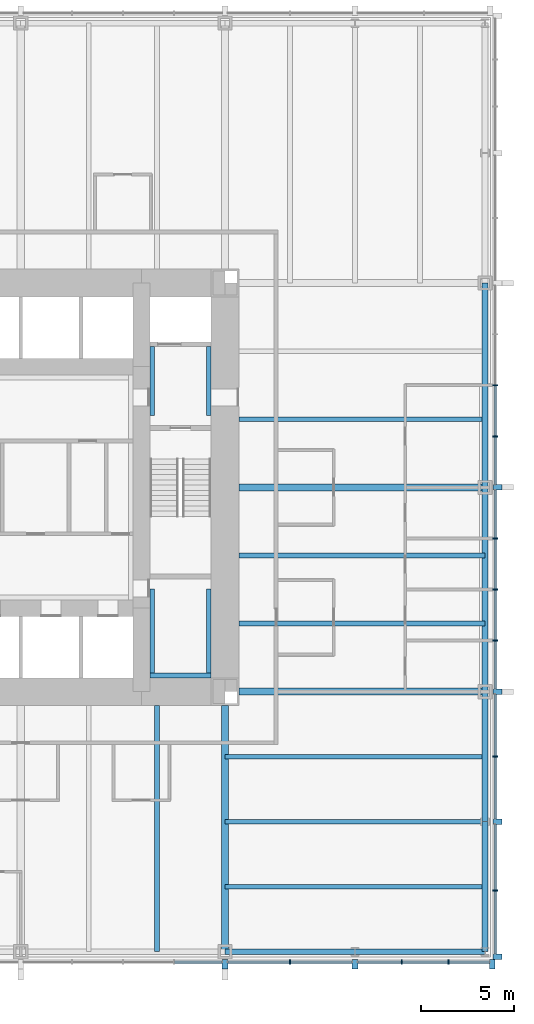
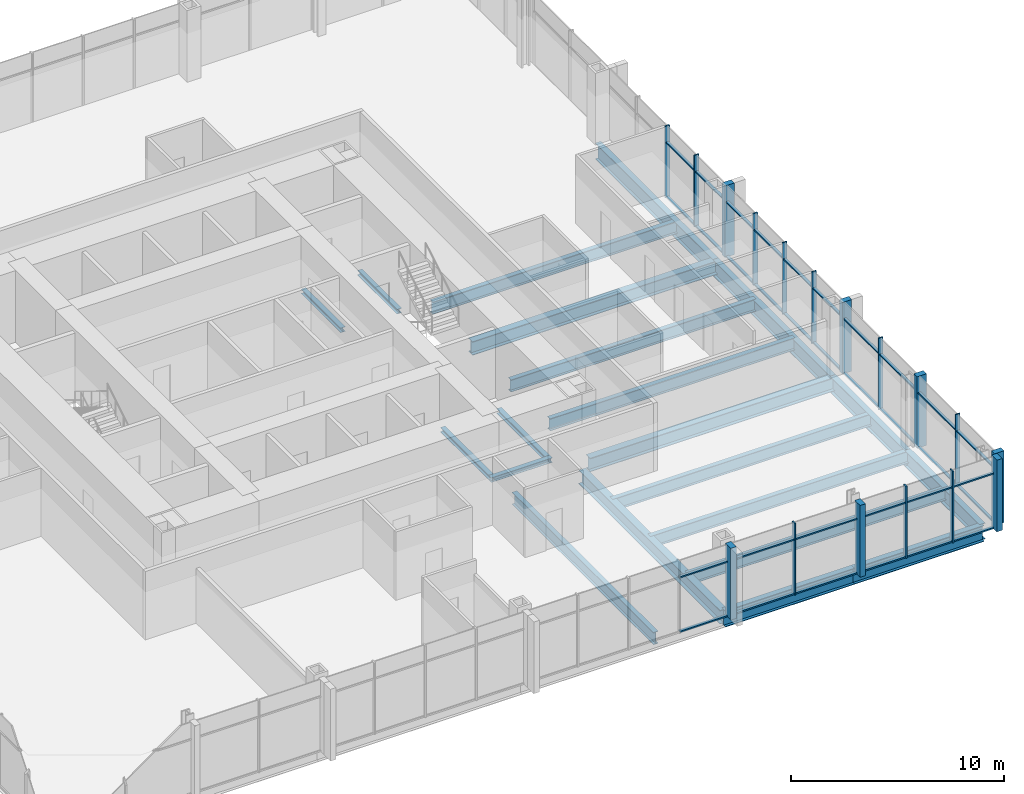
# One storey, part 4 of 12: 49 members, 21 beams, 2 elements without a shape of their own.
"""IFC4 building model written with IfcOpenShell, lengths in metres."""

from ifc_helpers import new_model, si_unit, direction, frame, origin, origin_2d, place, context, subcontext, project, spatial, rectangle, i_section, extrude, material, material_profile, profile_set, type_object, element, aggregate, save


model = new_model("IFC4")

# Units and contexts
model_context = context("Model", 3, precision=1e-05, world=origin(), true_north=direction((0.0, 1.0)))
body_context = subcontext(model_context, "Body", "Model", "MODEL_VIEW")
ifc_project = project(units=[si_unit("LENGTHUNIT", "METRE"), si_unit("AREAUNIT", "SQUARE_METRE"), si_unit("VOLUMEUNIT", "CUBIC_METRE"), si_unit("PLANEANGLEUNIT", "RADIAN"), si_unit("MASSUNIT", "GRAM", prefix="KILO")], contexts=[model_context])

# Site, building, storey
site_placement = place(None, origin())
site = spatial("IfcSite", under=ifc_project, at=site_placement, CompositionType="ELEMENT")
building_placement = place(site_placement, origin())
building = spatial("IfcBuilding", under=site, at=building_placement, Name="Trevanion Tower", CompositionType="ELEMENT")
storey_placement = place(building_placement, frame((0.0, 0.0, 40.60009765625)))
storey = spatial("IfcBuildingStorey", under=building, at=storey_placement, Name="L09", CompositionType="ELEMENT", Elevation=40.60009765625)

# Beams
ifc_material_1 = material(Name="Steel ASTM A992 Grade 50", Category="steel")
ifc_material_profile_1 = material_profile(ifc_material_1, i_section(OverallWidth=0.25390625, OverallDepth=0.700927734375, WebThickness=0.015380859375, FlangeThickness=0.02783203125, at=origin_2d()), Name="W27X129")
ifc_profile_set_1 = profile_set([ifc_material_profile_1], Name="Steel ASTM A992 Grade 50")
beam_type_1 = type_object("IfcBeamType", Name="B3 W27X129", PredefinedType="BEAM", material=ifc_profile_set_1)
for number, where, z_axis, x_axis, name in (
    (1, (11.75, -7.333251953125, -0.54052734375), (1.0, 0.0, 0.0), (0.0, 1.0, 0.0), "B3 L09"),
    (2, (11.75, -3.666748046875, -0.54052734375), (1.0, 0.0, 0.0), (0.0, 1.0, 0.0), "B3 L09"),
    (3, (11.75, 3.666748046875, -0.54052734375), (1.0, 0.0, 0.0), (0.0, 1.0, 0.0), "B3 L09"),
    (4, (7.333251953125, -11.75, -0.54052734375), (0.0, -1.0, 0.0), (1.0, 0.0, 0.0), "B3 L09"),
):
    element("IfcBeam", number, at=place(storey_placement, frame(where, z_axis=z_axis, x_axis=x_axis)), inside=storey, type_object=beam_type_1, Name=name, PredefinedType="BEAM", context=body_context, shape_type="SweptSolid", body=[
        extrude(i_section(OverallWidth=0.25390625, OverallDepth=0.700927734375, WebThickness=0.015380859375, FlangeThickness=0.02783203125, at=origin_2d()), origin(), (0.0, 0.0, 1.0), 13.25),
    ])
ifc_material_2 = material(Name="Steel ASTM A992 Grade 50", Category="steel")
ifc_material_profile_2 = material_profile(ifc_material_2, i_section(OverallWidth=0.256591796875, OverallDepth=0.693359375, WebThickness=0.014404296875, FlangeThickness=0.023681640625, at=origin_2d()), Name="W27X114")
ifc_profile_set_2 = profile_set([ifc_material_profile_2], Name="Steel ASTM A992 Grade 50")
beam_type_2 = type_object("IfcBeamType", Name="B4 W27X114", PredefinedType="BEAM", material=ifc_profile_set_2)
for number, where, z_axis, x_axis, name in (
    (5, (11.0, -14.5, -0.536865234375), (1.0, 0.0, 0.0), (0.0, 1.0, 0.0), "B4 L09"),
    (6, (11.0, -18.0, -0.536865234375), (1.0, 0.0, 0.0), (0.0, 1.0, 0.0), "B4 L09"),
    (7, (11.0, -21.5, -0.536865234375), (1.0, 0.0, 0.0), (0.0, 1.0, 0.0), "B4 L09"),
):
    element("IfcBeam", number, at=place(storey_placement, frame(where, z_axis=z_axis, x_axis=x_axis)), inside=storey, type_object=beam_type_2, Name=name, PredefinedType="BEAM", context=body_context, shape_type="SweptSolid", body=[
        extrude(i_section(OverallWidth=0.256591796875, OverallDepth=0.693359375, WebThickness=0.014404296875, FlangeThickness=0.023681640625, at=origin_2d()), origin(), (0.0, 0.0, 1.0), 14.0),
    ])

# Curtain wall, members
ifc_material_3 = material(Name="Aluminium and glass", Category="aluminium")
curtain_wall_type = type_object("IfcCurtainWallType", Name="CW1 curtain wall", PredefinedType="USERDEFINED", material=ifc_material_3)
curtain_wall_1_placement = place(storey_placement, origin())
curtain_wall_1 = element("IfcCurtainWall", 8, at=curtain_wall_1_placement, inside=storey, type_object=curtain_wall_type, Name="CW1 L09 0", ObjectType="UNITISED CURTAIN WALL", PredefinedType="USERDEFINED")
ifc_material_4 = material(Name="Aluminium extrusion, anodised bronze", Category="aluminium")
ifc_material_profile_3 = material_profile(ifc_material_4, rectangle(XDim=0.074951171875, YDim=0.25, at=origin_2d()), Name="CW1 mullion")
ifc_profile_set_3 = profile_set([ifc_material_profile_3], Name="Aluminium extrusion, anodised bronze")
member_type_1 = type_object("IfcMemberType", Name="CW1 mullion", PredefinedType="MULLION", material=ifc_profile_set_3)
member_1_placement = place(storey_placement, frame((25.550048828125, -21.7099609375, -0.190185546875), z_axis=(0.0, 0.0, 1.0), x_axis=(0.0, 1.0, 0.0)))
member_1 = element("IfcMember", 9, at=member_1_placement, type_object=member_type_1, Name="CW1 mullion 2", PredefinedType="MULLION", context=body_context, shape_type="SweptSolid", body=[
    extrude(rectangle(XDim=0.074951171875, YDim=0.25, at=origin_2d()), origin(), (0.0, 0.0, 1.0), 4.10009765625),
])
member_2_placement = place(storey_placement, frame((25.550048828125, -14.5, -0.190185546875), z_axis=(0.0, 0.0, 1.0), x_axis=(0.0, 1.0, 0.0)))
member_2 = element("IfcMember", 10, at=member_2_placement, type_object=member_type_1, Name="CW1 mullion 4", PredefinedType="MULLION", context=body_context, shape_type="SweptSolid", body=[
    extrude(rectangle(XDim=0.074951171875, YDim=0.25, at=origin_2d()), origin(), (0.0, 0.0, 1.0), 4.10009765625),
])
member_3_placement = place(storey_placement, frame((25.550048828125, -8.25, -0.190185546875), z_axis=(0.0, 0.0, 1.0), x_axis=(0.0, 1.0, 0.0)))
member_3 = element("IfcMember", 11, at=member_3_placement, type_object=member_type_1, Name="CW1 mullion 6", PredefinedType="MULLION", context=body_context, shape_type="SweptSolid", body=[
    extrude(rectangle(XDim=0.074951171875, YDim=0.25, at=origin_2d()), origin(), (0.0, 0.0, 1.0), 4.10009765625),
])
member_4_placement = place(storey_placement, frame((25.550048828125, -5.5, -0.190185546875), z_axis=(0.0, 0.0, 1.0), x_axis=(0.0, 1.0, 0.0)))
member_4 = element("IfcMember", 12, at=member_4_placement, type_object=member_type_1, Name="CW1 mullion 7", PredefinedType="MULLION", context=body_context, shape_type="SweptSolid", body=[
    extrude(rectangle(XDim=0.074951171875, YDim=0.25, at=origin_2d()), origin(), (0.0, 0.0, 1.0), 4.10009765625),
])
member_5_placement = place(storey_placement, frame((25.550048828125, -2.75, -0.190185546875), z_axis=(0.0, 0.0, 1.0), x_axis=(0.0, 1.0, 0.0)))
member_5 = element("IfcMember", 13, at=member_5_placement, type_object=member_type_1, Name="CW1 mullion 8", PredefinedType="MULLION", context=body_context, shape_type="SweptSolid", body=[
    extrude(rectangle(XDim=0.074951171875, YDim=0.25, at=origin_2d()), origin(), (0.0, 0.0, 1.0), 4.10009765625),
])
member_6_placement = place(storey_placement, frame((25.550048828125, 2.75, -0.190185546875), z_axis=(0.0, 0.0, 1.0), x_axis=(0.0, 1.0, 0.0)))
member_6 = element("IfcMember", 14, at=member_6_placement, type_object=member_type_1, Name="CW1 mullion 10", PredefinedType="MULLION", context=body_context, shape_type="SweptSolid", body=[
    extrude(rectangle(XDim=0.074951171875, YDim=0.25, at=origin_2d()), origin(), (0.0, 0.0, 1.0), 4.10009765625),
])
member_7_placement = place(storey_placement, frame((25.550048828125, 5.5, -0.190185546875), z_axis=(0.0, 0.0, 1.0), x_axis=(0.0, 1.0, 0.0)))
member_7 = element("IfcMember", 15, at=member_7_placement, type_object=member_type_1, Name="CW1 mullion 11", PredefinedType="MULLION", context=body_context, shape_type="SweptSolid", body=[
    extrude(rectangle(XDim=0.074951171875, YDim=0.25, at=origin_2d()), origin(), (0.0, 0.0, 1.0), 4.10009765625),
])

curtain_wall_2_placement = place(storey_placement, origin())
curtain_wall_2 = element("IfcCurtainWall", 16, at=curtain_wall_2_placement, inside=storey, type_object=curtain_wall_type, Name="CW1 L09 3", ObjectType="UNITISED CURTAIN WALL", PredefinedType="USERDEFINED")
member_8_placement = place(storey_placement, frame((14.5, -25.550048828125, -0.190185546875), z_axis=(0.0, 0.0, 1.0), x_axis=(1.0, 0.0, 0.0)))
member_8 = element("IfcMember", 17, at=member_8_placement, type_object=member_type_1, Name="CW1 mullion 14", PredefinedType="MULLION", context=body_context, shape_type="SweptSolid", body=[
    extrude(rectangle(XDim=0.074951171875, YDim=0.25, at=origin_2d()), origin(), (0.0, 0.0, 1.0), 4.10009765625),
])
member_9_placement = place(storey_placement, frame((20.5166015625, -25.550048828125, -0.190185546875), z_axis=(0.0, 0.0, 1.0), x_axis=(1.0, 0.0, 0.0)))
member_9 = element("IfcMember", 18, at=member_9_placement, type_object=member_type_1, Name="CW1 mullion 16", PredefinedType="MULLION", context=body_context, shape_type="SweptSolid", body=[
    extrude(rectangle(XDim=0.074951171875, YDim=0.25, at=origin_2d()), origin(), (0.0, 0.0, 1.0), 4.10009765625),
])
member_10_placement = place(storey_placement, frame((23.033203125, -25.550048828125, -0.190185546875), z_axis=(0.0, 0.0, 1.0), x_axis=(1.0, 0.0, 0.0)))
member_10 = element("IfcMember", 19, at=member_10_placement, type_object=member_type_1, Name="CW1 mullion 17", PredefinedType="MULLION", context=body_context, shape_type="SweptSolid", body=[
    extrude(rectangle(XDim=0.074951171875, YDim=0.25, at=origin_2d()), origin(), (0.0, 0.0, 1.0), 4.10009765625),
])

# Member
ifc_material_5 = material(Name="Aluminium extrusion, anodised bronze", Category="aluminium")
ifc_material_profile_4 = material_profile(ifc_material_5, rectangle(XDim=0.300048828125, YDim=0.5, at=origin_2d()), Name="CW1 pier mullion")
ifc_profile_set_4 = profile_set([ifc_material_profile_4], Name="Aluminium extrusion, anodised bronze")
member_type_2 = type_object("IfcMemberType", Name="CW1 pier mullion", PredefinedType="MULLION", material=ifc_profile_set_4)
member_11_placement = place(storey_placement, frame((25.675048828125, -25.27001953125, -0.190185546875), z_axis=(0.0, 0.0, 1.0), x_axis=(0.0, 1.0, 0.0)))
member_11 = element("IfcMember", 20, at=member_11_placement, type_object=member_type_2, Name="CW1 pier mullion 1", PredefinedType="MULLION", context=body_context, shape_type="SweptSolid", body=[
    extrude(rectangle(XDim=0.300048828125, YDim=0.5, at=origin_2d()), origin(), (0.0, 0.0, 1.0), 4.10009765625),
])

member_12_placement = place(storey_placement, frame((25.675048828125, -18.0, -0.190185546875), z_axis=(0.0, 0.0, 1.0), x_axis=(0.0, 1.0, 0.0)))
member_12 = element("IfcMember", 21, at=member_12_placement, type_object=member_type_2, Name="CW1 pier mullion 3", PredefinedType="MULLION", context=body_context, shape_type="SweptSolid", body=[
    extrude(rectangle(XDim=0.300048828125, YDim=0.5, at=origin_2d()), origin(), (0.0, 0.0, 1.0), 4.10009765625),
])

member_13_placement = place(storey_placement, frame((25.675048828125, -11.0, -0.190185546875), z_axis=(0.0, 0.0, 1.0), x_axis=(0.0, 1.0, 0.0)))
member_13 = element("IfcMember", 22, at=member_13_placement, type_object=member_type_2, Name="CW1 pier mullion 5", PredefinedType="MULLION", context=body_context, shape_type="SweptSolid", body=[
    extrude(rectangle(XDim=0.300048828125, YDim=0.5, at=origin_2d()), origin(), (0.0, 0.0, 1.0), 4.10009765625),
])

member_14_placement = place(storey_placement, frame((25.675048828125, 0.0, -0.190185546875), z_axis=(0.0, 0.0, 1.0), x_axis=(0.0, 1.0, 0.0)))
member_14 = element("IfcMember", 23, at=member_14_placement, type_object=member_type_2, Name="CW1 pier mullion 9", PredefinedType="MULLION", context=body_context, shape_type="SweptSolid", body=[
    extrude(rectangle(XDim=0.300048828125, YDim=0.5, at=origin_2d()), origin(), (0.0, 0.0, 1.0), 4.10009765625),
])

member_15_placement = place(storey_placement, frame((11.0, -25.675048828125, -0.190185546875), z_axis=(0.0, 0.0, 1.0), x_axis=(1.0, 0.0, 0.0)))
member_15 = element("IfcMember", 24, at=member_15_placement, type_object=member_type_2, Name="CW1 pier mullion 13", PredefinedType="MULLION", context=body_context, shape_type="SweptSolid", body=[
    extrude(rectangle(XDim=0.300048828125, YDim=0.5, at=origin_2d()), origin(), (0.0, 0.0, 1.0), 4.10009765625),
])

member_16_placement = place(storey_placement, frame((18.0, -25.675048828125, -0.190185546875), z_axis=(0.0, 0.0, 1.0), x_axis=(1.0, 0.0, 0.0)))
member_16 = element("IfcMember", 25, at=member_16_placement, type_object=member_type_2, Name="CW1 pier mullion 15", PredefinedType="MULLION", context=body_context, shape_type="SweptSolid", body=[
    extrude(rectangle(XDim=0.300048828125, YDim=0.5, at=origin_2d()), origin(), (0.0, 0.0, 1.0), 4.10009765625),
])

member_17_placement = place(storey_placement, frame((25.39990234375, -25.675048828125, -0.190185546875), z_axis=(0.0, 0.0, 1.0), x_axis=(1.0, 0.0, 0.0)))
member_17 = element("IfcMember", 26, at=member_17_placement, type_object=member_type_2, Name="CW1 pier mullion 18", PredefinedType="MULLION", context=body_context, shape_type="SweptSolid", body=[
    extrude(rectangle(XDim=0.300048828125, YDim=0.5, at=origin_2d()), origin(), (0.0, 0.0, 1.0), 4.10009765625),
])

ifc_material_6 = material(Name="Aluminium extrusion, anodised bronze", Category="aluminium")
ifc_material_profile_5 = material_profile(ifc_material_6, rectangle(XDim=0.14990234375, YDim=0.074951171875, at=origin_2d()), Name="CW1 transom")
ifc_profile_set_5 = profile_set([ifc_material_profile_5], Name="Aluminium extrusion, anodised bronze")
member_type_3 = type_object("IfcMemberType", Name="CW1 transom", PredefinedType="USERDEFINED", material=ifc_profile_set_5)
member_18_placement = place(storey_placement, frame((25.550048828125, -25.1201171875, -0.152587890625), z_axis=(0.0, 1.0, 0.0), x_axis=(-1.0, 0.0, 0.0)))
member_18 = element("IfcMember", 27, at=member_18_placement, type_object=member_type_3, Name="CW1 transom 1.1", ObjectType="TRANSOM", PredefinedType="USERDEFINED", context=body_context, shape_type="SweptSolid", body=[
    extrude(rectangle(XDim=0.14990234375, YDim=0.074951171875, at=origin_2d()), origin(), (0.0, 0.0, 1.0), 3.37255859375),
])

member_19_placement = place(storey_placement, frame((25.550048828125, -25.1201171875, 2.9599609375), z_axis=(0.0, 1.0, 0.0), x_axis=(-1.0, 0.0, 0.0)))
member_19 = element("IfcMember", 28, at=member_19_placement, type_object=member_type_3, Name="CW1 transom 1.2", ObjectType="TRANSOM", PredefinedType="USERDEFINED", context=body_context, shape_type="SweptSolid", body=[
    extrude(rectangle(XDim=0.14990234375, YDim=0.074951171875, at=origin_2d()), origin(), (0.0, 0.0, 1.0), 3.37255859375),
])

member_20_placement = place(storey_placement, frame((25.550048828125, -21.672607421875, -0.152587890625), z_axis=(0.0, 1.0, 0.0), x_axis=(-1.0, 0.0, 0.0)))
member_20 = element("IfcMember", 29, at=member_20_placement, type_object=member_type_3, Name="CW1 transom 2.1", ObjectType="TRANSOM", PredefinedType="USERDEFINED", context=body_context, shape_type="SweptSolid", body=[
    extrude(rectangle(XDim=0.14990234375, YDim=0.074951171875, at=origin_2d()), origin(), (0.0, 0.0, 1.0), 3.522705078125),
])

member_21_placement = place(storey_placement, frame((25.550048828125, -21.672607421875, 2.9599609375), z_axis=(0.0, 1.0, 0.0), x_axis=(-1.0, 0.0, 0.0)))
member_21 = element("IfcMember", 30, at=member_21_placement, type_object=member_type_3, Name="CW1 transom 2.2", ObjectType="TRANSOM", PredefinedType="USERDEFINED", context=body_context, shape_type="SweptSolid", body=[
    extrude(rectangle(XDim=0.14990234375, YDim=0.074951171875, at=origin_2d()), origin(), (0.0, 0.0, 1.0), 3.522705078125),
])

member_22_placement = place(storey_placement, frame((25.550048828125, -17.85009765625, -0.152587890625), z_axis=(0.0, 1.0, 0.0), x_axis=(-1.0, 0.0, 0.0)))
member_22 = element("IfcMember", 31, at=member_22_placement, type_object=member_type_3, Name="CW1 transom 3.1", ObjectType="TRANSOM", PredefinedType="USERDEFINED", context=body_context, shape_type="SweptSolid", body=[
    extrude(rectangle(XDim=0.14990234375, YDim=0.074951171875, at=origin_2d()), origin(), (0.0, 0.0, 1.0), 3.3125),
])

member_23_placement = place(storey_placement, frame((25.550048828125, -17.85009765625, 2.9599609375), z_axis=(0.0, 1.0, 0.0), x_axis=(-1.0, 0.0, 0.0)))
member_23 = element("IfcMember", 32, at=member_23_placement, type_object=member_type_3, Name="CW1 transom 3.2", ObjectType="TRANSOM", PredefinedType="USERDEFINED", context=body_context, shape_type="SweptSolid", body=[
    extrude(rectangle(XDim=0.14990234375, YDim=0.074951171875, at=origin_2d()), origin(), (0.0, 0.0, 1.0), 3.3125),
])

member_24_placement = place(storey_placement, frame((25.550048828125, -14.46240234375, -0.152587890625), z_axis=(0.0, 1.0, 0.0), x_axis=(-1.0, 0.0, 0.0)))
member_24 = element("IfcMember", 33, at=member_24_placement, type_object=member_type_3, Name="CW1 transom 4.1", ObjectType="TRANSOM", PredefinedType="USERDEFINED", context=body_context, shape_type="SweptSolid", body=[
    extrude(rectangle(XDim=0.14990234375, YDim=0.074951171875, at=origin_2d()), origin(), (0.0, 0.0, 1.0), 3.3125),
])

member_25_placement = place(storey_placement, frame((25.550048828125, -14.46240234375, 2.9599609375), z_axis=(0.0, 1.0, 0.0), x_axis=(-1.0, 0.0, 0.0)))
member_25 = element("IfcMember", 34, at=member_25_placement, type_object=member_type_3, Name="CW1 transom 4.2", ObjectType="TRANSOM", PredefinedType="USERDEFINED", context=body_context, shape_type="SweptSolid", body=[
    extrude(rectangle(XDim=0.14990234375, YDim=0.074951171875, at=origin_2d()), origin(), (0.0, 0.0, 1.0), 3.3125),
])

member_26_placement = place(storey_placement, frame((25.550048828125, -10.85009765625, -0.152587890625), z_axis=(0.0, 1.0, 0.0), x_axis=(-1.0, 0.0, 0.0)))
member_26 = element("IfcMember", 35, at=member_26_placement, type_object=member_type_3, Name="CW1 transom 5.1", ObjectType="TRANSOM", PredefinedType="USERDEFINED", context=body_context, shape_type="SweptSolid", body=[
    extrude(rectangle(XDim=0.14990234375, YDim=0.074951171875, at=origin_2d()), origin(), (0.0, 0.0, 1.0), 2.5625),
])

member_27_placement = place(storey_placement, frame((25.550048828125, -10.85009765625, 2.9599609375), z_axis=(0.0, 1.0, 0.0), x_axis=(-1.0, 0.0, 0.0)))
member_27 = element("IfcMember", 36, at=member_27_placement, type_object=member_type_3, Name="CW1 transom 5.2", ObjectType="TRANSOM", PredefinedType="USERDEFINED", context=body_context, shape_type="SweptSolid", body=[
    extrude(rectangle(XDim=0.14990234375, YDim=0.074951171875, at=origin_2d()), origin(), (0.0, 0.0, 1.0), 2.5625),
])

member_28_placement = place(storey_placement, frame((25.550048828125, -8.21240234375, -0.152587890625), z_axis=(0.0, 1.0, 0.0), x_axis=(-1.0, 0.0, 0.0)))
member_28 = element("IfcMember", 37, at=member_28_placement, type_object=member_type_3, Name="CW1 transom 6.1", ObjectType="TRANSOM", PredefinedType="USERDEFINED", context=body_context, shape_type="SweptSolid", body=[
    extrude(rectangle(XDim=0.14990234375, YDim=0.074951171875, at=origin_2d()), origin(), (0.0, 0.0, 1.0), 2.6748046875),
])

member_29_placement = place(storey_placement, frame((25.550048828125, -8.21240234375, 2.9599609375), z_axis=(0.0, 1.0, 0.0), x_axis=(-1.0, 0.0, 0.0)))
member_29 = element("IfcMember", 38, at=member_29_placement, type_object=member_type_3, Name="CW1 transom 6.2", ObjectType="TRANSOM", PredefinedType="USERDEFINED", context=body_context, shape_type="SweptSolid", body=[
    extrude(rectangle(XDim=0.14990234375, YDim=0.074951171875, at=origin_2d()), origin(), (0.0, 0.0, 1.0), 2.6748046875),
])

member_30_placement = place(storey_placement, frame((25.550048828125, -5.46240234375, -0.152587890625), z_axis=(0.0, 1.0, 0.0), x_axis=(-1.0, 0.0, 0.0)))
member_30 = element("IfcMember", 39, at=member_30_placement, type_object=member_type_3, Name="CW1 transom 7.1", ObjectType="TRANSOM", PredefinedType="USERDEFINED", context=body_context, shape_type="SweptSolid", body=[
    extrude(rectangle(XDim=0.14990234375, YDim=0.074951171875, at=origin_2d()), origin(), (0.0, 0.0, 1.0), 2.6748046875),
])

member_31_placement = place(storey_placement, frame((25.550048828125, -5.46240234375, 2.9599609375), z_axis=(0.0, 1.0, 0.0), x_axis=(-1.0, 0.0, 0.0)))
member_31 = element("IfcMember", 40, at=member_31_placement, type_object=member_type_3, Name="CW1 transom 7.2", ObjectType="TRANSOM", PredefinedType="USERDEFINED", context=body_context, shape_type="SweptSolid", body=[
    extrude(rectangle(XDim=0.14990234375, YDim=0.074951171875, at=origin_2d()), origin(), (0.0, 0.0, 1.0), 2.6748046875),
])

member_32_placement = place(storey_placement, frame((25.550048828125, -2.71240234375, -0.152587890625), z_axis=(0.0, 1.0, 0.0), x_axis=(-1.0, 0.0, 0.0)))
member_32 = element("IfcMember", 41, at=member_32_placement, type_object=member_type_3, Name="CW1 transom 8.1", ObjectType="TRANSOM", PredefinedType="USERDEFINED", context=body_context, shape_type="SweptSolid", body=[
    extrude(rectangle(XDim=0.14990234375, YDim=0.074951171875, at=origin_2d()), origin(), (0.0, 0.0, 1.0), 2.5625),
])

member_33_placement = place(storey_placement, frame((25.550048828125, -2.71240234375, 2.9599609375), z_axis=(0.0, 1.0, 0.0), x_axis=(-1.0, 0.0, 0.0)))
member_33 = element("IfcMember", 42, at=member_33_placement, type_object=member_type_3, Name="CW1 transom 8.2", ObjectType="TRANSOM", PredefinedType="USERDEFINED", context=body_context, shape_type="SweptSolid", body=[
    extrude(rectangle(XDim=0.14990234375, YDim=0.074951171875, at=origin_2d()), origin(), (0.0, 0.0, 1.0), 2.5625),
])

member_34_placement = place(storey_placement, frame((25.550048828125, 0.14990234375, -0.152587890625), z_axis=(0.0, 1.0, 0.0), x_axis=(-1.0, 0.0, 0.0)))
member_34 = element("IfcMember", 43, at=member_34_placement, type_object=member_type_3, Name="CW1 transom 9.1", ObjectType="TRANSOM", PredefinedType="USERDEFINED", context=body_context, shape_type="SweptSolid", body=[
    extrude(rectangle(XDim=0.14990234375, YDim=0.074951171875, at=origin_2d()), origin(), (0.0, 0.0, 1.0), 2.5625),
])

member_35_placement = place(storey_placement, frame((25.550048828125, 0.14990234375, 2.9599609375), z_axis=(0.0, 1.0, 0.0), x_axis=(-1.0, 0.0, 0.0)))
member_35 = element("IfcMember", 44, at=member_35_placement, type_object=member_type_3, Name="CW1 transom 9.2", ObjectType="TRANSOM", PredefinedType="USERDEFINED", context=body_context, shape_type="SweptSolid", body=[
    extrude(rectangle(XDim=0.14990234375, YDim=0.074951171875, at=origin_2d()), origin(), (0.0, 0.0, 1.0), 2.5625),
])

member_36_placement = place(storey_placement, frame((25.550048828125, 2.78759765625, -0.152587890625), z_axis=(0.0, 1.0, 0.0), x_axis=(-1.0, 0.0, 0.0)))
member_36 = element("IfcMember", 45, at=member_36_placement, type_object=member_type_3, Name="CW1 transom 10.1", ObjectType="TRANSOM", PredefinedType="USERDEFINED", context=body_context, shape_type="SweptSolid", body=[
    extrude(rectangle(XDim=0.14990234375, YDim=0.074951171875, at=origin_2d()), origin(), (0.0, 0.0, 1.0), 2.6748046875),
])

member_37_placement = place(storey_placement, frame((25.550048828125, 2.78759765625, 2.9599609375), z_axis=(0.0, 1.0, 0.0), x_axis=(-1.0, 0.0, 0.0)))
member_37 = element("IfcMember", 46, at=member_37_placement, type_object=member_type_3, Name="CW1 transom 10.2", ObjectType="TRANSOM", PredefinedType="USERDEFINED", context=body_context, shape_type="SweptSolid", body=[
    extrude(rectangle(XDim=0.14990234375, YDim=0.074951171875, at=origin_2d()), origin(), (0.0, 0.0, 1.0), 2.6748046875),
])

aggregate(curtain_wall_1, [member_11, member_1, member_12, member_2, member_13, member_3, member_4, member_5, member_14, member_6, member_7, member_18, member_19, member_20, member_21, member_22, member_23, member_24, member_25, member_26, member_27, member_28, member_29, member_30, member_31, member_32, member_33, member_34, member_35, member_36, member_37])

member_38_placement = place(storey_placement, frame((8.28759765625, -25.550048828125, -0.152587890625), z_axis=(1.0, 0.0, 0.0), x_axis=(0.0, 1.0, 0.0)))
member_38 = element("IfcMember", 47, at=member_38_placement, type_object=member_type_3, Name="CW1 transom 12.1", ObjectType="TRANSOM", PredefinedType="USERDEFINED", context=body_context, shape_type="SweptSolid", body=[
    extrude(rectangle(XDim=0.14990234375, YDim=0.074951171875, at=origin_2d()), origin(), (0.0, 0.0, 1.0), 2.5625),
])

member_39_placement = place(storey_placement, frame((8.28759765625, -25.550048828125, 2.9599609375), z_axis=(1.0, 0.0, 0.0), x_axis=(0.0, 1.0, 0.0)))
member_39 = element("IfcMember", 48, at=member_39_placement, type_object=member_type_3, Name="CW1 transom 12.2", ObjectType="TRANSOM", PredefinedType="USERDEFINED", context=body_context, shape_type="SweptSolid", body=[
    extrude(rectangle(XDim=0.14990234375, YDim=0.074951171875, at=origin_2d()), origin(), (0.0, 0.0, 1.0), 2.5625),
])

member_40_placement = place(storey_placement, frame((11.14990234375, -25.550048828125, -0.152587890625), z_axis=(1.0, 0.0, 0.0), x_axis=(0.0, 1.0, 0.0)))
member_40 = element("IfcMember", 49, at=member_40_placement, type_object=member_type_3, Name="CW1 transom 13.1", ObjectType="TRANSOM", PredefinedType="USERDEFINED", context=body_context, shape_type="SweptSolid", body=[
    extrude(rectangle(XDim=0.14990234375, YDim=0.074951171875, at=origin_2d()), origin(), (0.0, 0.0, 1.0), 3.3125),
])

member_41_placement = place(storey_placement, frame((11.14990234375, -25.550048828125, 2.9599609375), z_axis=(1.0, 0.0, 0.0), x_axis=(0.0, 1.0, 0.0)))
member_41 = element("IfcMember", 50, at=member_41_placement, type_object=member_type_3, Name="CW1 transom 13.2", ObjectType="TRANSOM", PredefinedType="USERDEFINED", context=body_context, shape_type="SweptSolid", body=[
    extrude(rectangle(XDim=0.14990234375, YDim=0.074951171875, at=origin_2d()), origin(), (0.0, 0.0, 1.0), 3.3125),
])

member_42_placement = place(storey_placement, frame((14.53759765625, -25.550048828125, -0.152587890625), z_axis=(1.0, 0.0, 0.0), x_axis=(0.0, 1.0, 0.0)))
member_42 = element("IfcMember", 51, at=member_42_placement, type_object=member_type_3, Name="CW1 transom 14.1", ObjectType="TRANSOM", PredefinedType="USERDEFINED", context=body_context, shape_type="SweptSolid", body=[
    extrude(rectangle(XDim=0.14990234375, YDim=0.074951171875, at=origin_2d()), origin(), (0.0, 0.0, 1.0), 3.3125),
])

member_43_placement = place(storey_placement, frame((14.53759765625, -25.550048828125, 2.9599609375), z_axis=(1.0, 0.0, 0.0), x_axis=(0.0, 1.0, 0.0)))
member_43 = element("IfcMember", 52, at=member_43_placement, type_object=member_type_3, Name="CW1 transom 14.2", ObjectType="TRANSOM", PredefinedType="USERDEFINED", context=body_context, shape_type="SweptSolid", body=[
    extrude(rectangle(XDim=0.14990234375, YDim=0.074951171875, at=origin_2d()), origin(), (0.0, 0.0, 1.0), 3.3125),
])

member_44_placement = place(storey_placement, frame((18.14990234375, -25.550048828125, -0.152587890625), z_axis=(1.0, 0.0, 0.0), x_axis=(0.0, 1.0, 0.0)))
member_44 = element("IfcMember", 53, at=member_44_placement, type_object=member_type_3, Name="CW1 transom 15.1", ObjectType="TRANSOM", PredefinedType="USERDEFINED", context=body_context, shape_type="SweptSolid", body=[
    extrude(rectangle(XDim=0.14990234375, YDim=0.074951171875, at=origin_2d()), origin(), (0.0, 0.0, 1.0), 2.329345703125),
])

member_45_placement = place(storey_placement, frame((18.14990234375, -25.550048828125, 2.9599609375), z_axis=(1.0, 0.0, 0.0), x_axis=(0.0, 1.0, 0.0)))
member_45 = element("IfcMember", 54, at=member_45_placement, type_object=member_type_3, Name="CW1 transom 15.2", ObjectType="TRANSOM", PredefinedType="USERDEFINED", context=body_context, shape_type="SweptSolid", body=[
    extrude(rectangle(XDim=0.14990234375, YDim=0.074951171875, at=origin_2d()), origin(), (0.0, 0.0, 1.0), 2.329345703125),
])

member_46_placement = place(storey_placement, frame((20.55419921875, -25.550048828125, -0.152587890625), z_axis=(1.0, 0.0, 0.0), x_axis=(0.0, 1.0, 0.0)))
member_46 = element("IfcMember", 55, at=member_46_placement, type_object=member_type_3, Name="CW1 transom 16.1", ObjectType="TRANSOM", PredefinedType="USERDEFINED", context=body_context, shape_type="SweptSolid", body=[
    extrude(rectangle(XDim=0.14990234375, YDim=0.074951171875, at=origin_2d()), origin(), (0.0, 0.0, 1.0), 2.441650390625),
])

member_47_placement = place(storey_placement, frame((20.55419921875, -25.550048828125, 2.9599609375), z_axis=(1.0, 0.0, 0.0), x_axis=(0.0, 1.0, 0.0)))
member_47 = element("IfcMember", 56, at=member_47_placement, type_object=member_type_3, Name="CW1 transom 16.2", ObjectType="TRANSOM", PredefinedType="USERDEFINED", context=body_context, shape_type="SweptSolid", body=[
    extrude(rectangle(XDim=0.14990234375, YDim=0.074951171875, at=origin_2d()), origin(), (0.0, 0.0, 1.0), 2.441650390625),
])

member_48_placement = place(storey_placement, frame((23.07080078125, -25.550048828125, -0.152587890625), z_axis=(1.0, 0.0, 0.0), x_axis=(0.0, 1.0, 0.0)))
member_48 = element("IfcMember", 57, at=member_48_placement, type_object=member_type_3, Name="CW1 transom 17.1", ObjectType="TRANSOM", PredefinedType="USERDEFINED", context=body_context, shape_type="SweptSolid", body=[
    extrude(rectangle(XDim=0.14990234375, YDim=0.074951171875, at=origin_2d()), origin(), (0.0, 0.0, 1.0), 2.17919921875),
])

member_49_placement = place(storey_placement, frame((23.07080078125, -25.550048828125, 2.9599609375), z_axis=(1.0, 0.0, 0.0), x_axis=(0.0, 1.0, 0.0)))
member_49 = element("IfcMember", 58, at=member_49_placement, type_object=member_type_3, Name="CW1 transom 17.2", ObjectType="TRANSOM", PredefinedType="USERDEFINED", context=body_context, shape_type="SweptSolid", body=[
    extrude(rectangle(XDim=0.14990234375, YDim=0.074951171875, at=origin_2d()), origin(), (0.0, 0.0, 1.0), 2.17919921875),
])

aggregate(curtain_wall_2, [member_15, member_8, member_16, member_9, member_10, member_17, member_38, member_39, member_40, member_41, member_42, member_43, member_44, member_45, member_46, member_47, member_48, member_49])

# Beams
ifc_material_7 = material(Name="Steel ASTM A992 Grade 50", Category="steel")
ifc_material_profile_6 = material_profile(ifc_material_7, i_section(OverallWidth=0.381103515625, OverallDepth=0.77978515625, WebThickness=0.01806640625, FlangeThickness=0.0302734375, at=origin_2d()), Name="W30X191")
ifc_profile_set_6 = profile_set([ifc_material_profile_6], Name="Steel ASTM A992 Grade 50")
beam_type_3 = type_object("IfcBeamType", Name="G2 W30X191", PredefinedType="BEAM", material=ifc_profile_set_6)
for number, where, z_axis, x_axis, name in (
    (59, (11.75, -11.0, -0.580078125), (1.0, 0.0, 0.0), (0.0, 1.0, 0.0), "G2 L09"),
    (60, (11.75, 0.0, -0.580078125), (1.0, 0.0, 0.0), (0.0, 1.0, 0.0), "G2 L09"),
    (61, (11.0, -11.75, -0.580078125), (0.0, -1.0, 0.0), (1.0, 0.0, 0.0), "G2 L09"),
):
    element("IfcBeam", number, at=place(storey_placement, frame(where, z_axis=z_axis, x_axis=x_axis)), inside=storey, type_object=beam_type_3, Name=name, PredefinedType="BEAM", context=body_context, shape_type="SweptSolid", body=[
        extrude(i_section(OverallWidth=0.381103515625, OverallDepth=0.77978515625, WebThickness=0.01806640625, FlangeThickness=0.0302734375, at=origin_2d()), origin(), (0.0, 0.0, 1.0), 13.25),
    ])
ifc_material_8 = material(Name="Steel ASTM A992 Grade 50", Category="steel")
ifc_material_profile_7 = material_profile(ifc_material_8, i_section(OverallWidth=0.256591796875, OverallDepth=0.26416015625, WebThickness=0.011962890625, FlangeThickness=0.01953125, at=origin_2d()), Name="W10X68")
ifc_profile_set_7 = profile_set([ifc_material_profile_7], Name="Steel ASTM A992 Grade 50")
beam_type_4 = type_object("IfcBeamType", Name="LB1 W10X68", PredefinedType="BEAM", material=ifc_profile_set_7)
for number, where, z_axis, x_axis, name in (
    (62, (7.078369140625, 3.875, -0.332275390625), (0.0, 1.0, 0.0), (-1.0, 0.0, 0.0), "LB1 L09"),
    (63, (10.12158203125, 3.875, -0.332275390625), (0.0, 1.0, 0.0), (-1.0, 0.0, 0.0), "LB1 L09"),
):
    element("IfcBeam", number, at=place(storey_placement, frame(where, z_axis=z_axis, x_axis=x_axis)), inside=storey, type_object=beam_type_4, Name=name, PredefinedType="BEAM", context=body_context, shape_type="SweptSolid", body=[
        extrude(i_section(OverallWidth=0.256591796875, OverallDepth=0.26416015625, WebThickness=0.011962890625, FlangeThickness=0.01953125, at=origin_2d()), origin(), (0.0, 0.0, 1.0), 3.699951171875),
    ])
for number, where, z_axis, x_axis, name in (
    (64, (7.078369140625, -10.25, -0.332275390625), (0.0, 1.0, 0.0), (-1.0, 0.0, 0.0), "LB1 L09"),
    (65, (10.12158203125, -10.25, -0.332275390625), (0.0, 1.0, 0.0), (-1.0, 0.0, 0.0), "LB1 L09"),
):
    element("IfcBeam", number, at=place(storey_placement, frame(where, z_axis=z_axis, x_axis=x_axis)), inside=storey, type_object=beam_type_4, Name=name, PredefinedType="BEAM", context=body_context, shape_type="SweptSolid", body=[
        extrude(i_section(OverallWidth=0.256591796875, OverallDepth=0.26416015625, WebThickness=0.011962890625, FlangeThickness=0.01953125, at=origin_2d()), origin(), (0.0, 0.0, 1.0), 4.77490234375),
    ])
beam_placement = place(storey_placement, frame((6.949951171875, -10.12158203125, -0.332275390625), z_axis=(1.0, 0.0, 0.0), x_axis=(0.0, 1.0, 0.0)))
element("IfcBeam", 66, at=beam_placement, inside=storey, type_object=beam_type_4, Name="LB1 L09", PredefinedType="BEAM", context=body_context, shape_type="SweptSolid", body=[
    extrude(i_section(OverallWidth=0.256591796875, OverallDepth=0.26416015625, WebThickness=0.011962890625, FlangeThickness=0.01953125, at=origin_2d()), origin(), (0.0, 0.0, 1.0), 3.300048828125),
])
ifc_material_9 = material(Name="Steel ASTM A992 Grade 50", Category="steel")
ifc_material_profile_8 = material_profile(ifc_material_9, i_section(OverallWidth=0.307373046875, OverallDepth=0.927001953125, WebThickness=0.01953125, FlangeThickness=0.031982421875, at=origin_2d()), Name="W36X194")
ifc_profile_set_8 = profile_set([ifc_material_profile_8], Name="Steel ASTM A992 Grade 50")
beam_type_5 = type_object("IfcBeamType", Name="SB2 W36X194", PredefinedType="SPANDREL", material=ifc_profile_set_8)
for number, where, z_axis, x_axis, name in (
    (67, (25.0, -25.0, -0.653564453125), (0.0, 1.0, 0.0), (-1.0, 0.0, 0.0), "SB2 L09"),
    (68, (25.0, -18.0, -0.653564453125), (0.0, 1.0, 0.0), (-1.0, 0.0, 0.0), "SB2 L09"),
):
    element("IfcBeam", number, at=place(storey_placement, frame(where, z_axis=z_axis, x_axis=x_axis)), inside=storey, type_object=beam_type_5, Name=name, PredefinedType="SPANDREL", context=body_context, shape_type="SweptSolid", body=[
        extrude(i_section(OverallWidth=0.307373046875, OverallDepth=0.927001953125, WebThickness=0.01953125, FlangeThickness=0.031982421875, at=origin_2d()), origin(), (0.0, 0.0, 1.0), 7.0),
    ])
for number, where, z_axis, x_axis, name in (
    (69, (25.0, -11.0, -0.653564453125), (0.0, 1.0, 0.0), (-1.0, 0.0, 0.0), "SB2 L09"),
    (70, (25.0, 0.0, -0.653564453125), (0.0, 1.0, 0.0), (-1.0, 0.0, 0.0), "SB2 L09"),
):
    element("IfcBeam", number, at=place(storey_placement, frame(where, z_axis=z_axis, x_axis=x_axis)), inside=storey, type_object=beam_type_5, Name=name, PredefinedType="SPANDREL", context=body_context, shape_type="SweptSolid", body=[
        extrude(i_section(OverallWidth=0.307373046875, OverallDepth=0.927001953125, WebThickness=0.01953125, FlangeThickness=0.031982421875, at=origin_2d()), origin(), (0.0, 0.0, 1.0), 11.0),
    ])
for number, where, z_axis, x_axis, name in (
    (71, (11.0, -25.0, -0.653564453125), (1.0, 0.0, 0.0), (0.0, 1.0, 0.0), "SB2 L09"),
    (72, (18.0, -25.0, -0.653564453125), (1.0, 0.0, 0.0), (0.0, 1.0, 0.0), "SB2 L09"),
):
    element("IfcBeam", number, at=place(storey_placement, frame(where, z_axis=z_axis, x_axis=x_axis)), inside=storey, type_object=beam_type_5, Name=name, PredefinedType="SPANDREL", context=body_context, shape_type="SweptSolid", body=[
        extrude(i_section(OverallWidth=0.307373046875, OverallDepth=0.927001953125, WebThickness=0.01953125, FlangeThickness=0.031982421875, at=origin_2d()), origin(), (0.0, 0.0, 1.0), 7.0),
    ])

save(model, "model.ifc")
